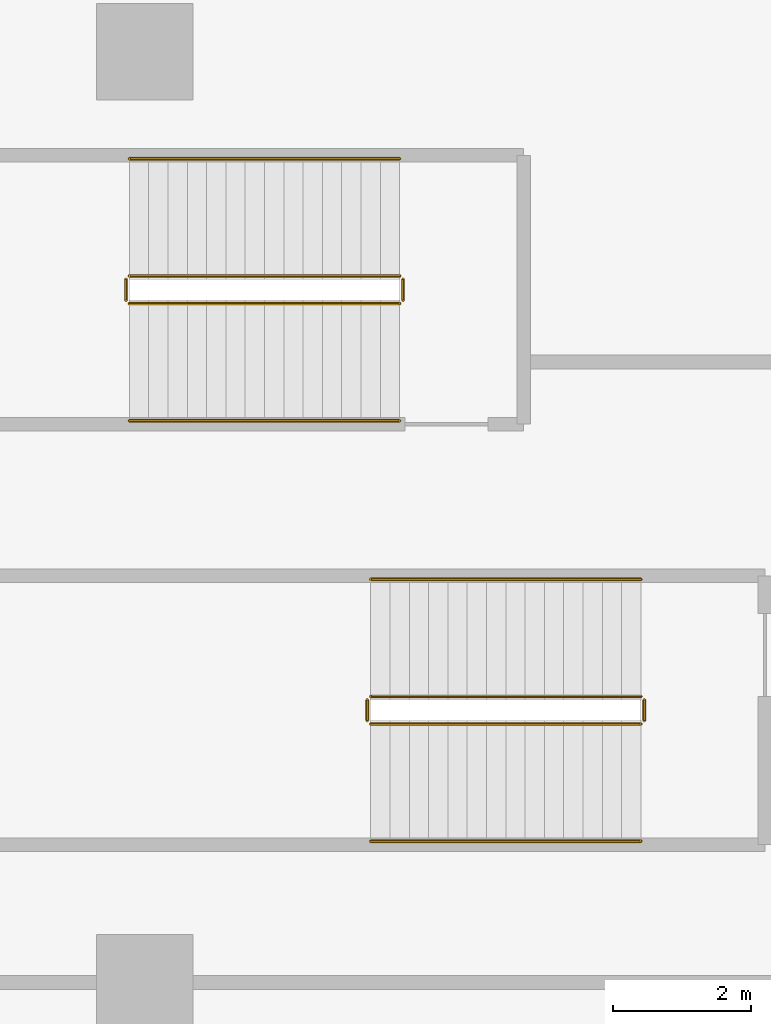
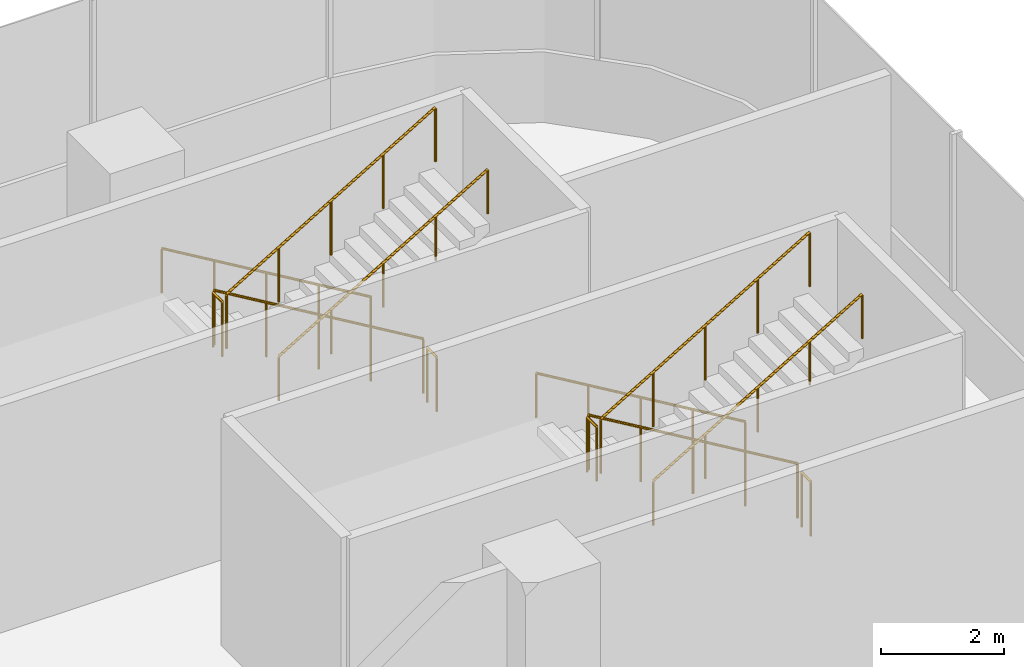
# One storey, part 44 of 44: 12 railings.
"""IFC4 building model written with IfcOpenShell, lengths in metres."""

from ifc_helpers import new_model, si_unit, direction, frame, origin, origin_2d, place, context, subcontext, project, spatial, circle, extrude, material, type_object, element, save


model = new_model("IFC4")

# Units and contexts
model_context = context("Model", 3, precision=1e-05, world=origin(), true_north=direction((0.0, 1.0)))
body_context = subcontext(model_context, "Body", "Model", "MODEL_VIEW")
ifc_project = project(units=[si_unit("LENGTHUNIT", "METRE"), si_unit("AREAUNIT", "SQUARE_METRE"), si_unit("VOLUMEUNIT", "CUBIC_METRE"), si_unit("PLANEANGLEUNIT", "RADIAN"), si_unit("MASSUNIT", "GRAM", prefix="KILO")], contexts=[model_context])

# Site, building, storey
site_placement = place(None, origin())
site = spatial("IfcSite", under=ifc_project, at=site_placement, CompositionType="ELEMENT")
building_placement = place(site_placement, origin())
building = spatial("IfcBuilding", under=site, at=building_placement, Name="Tamarind Cross Interchange Tower", CompositionType="ELEMENT")
storey_placement = place(building_placement, frame((0.0, 0.0, 15.0)))
storey = spatial("IfcBuildingStorey", under=building, at=storey_placement, Name="L02", CompositionType="ELEMENT", Elevation=15.0)

# Railings
ifc_material_1 = material(Name="Public stair guard")
railing_type_1 = type_object("IfcRailingType", Name="Public stair guard", PredefinedType="GUARDRAIL", material=ifc_material_1)
railing_1_placement = place(storey_placement, frame((57.699951171875, 50.75, 0.166748046875)))
element("IfcRailing", 1, at=railing_1_placement, inside=storey, type_object=railing_type_1, Name="L02 XS-P01 stair guard 1", PredefinedType="GUARDRAIL", context=body_context, shape_type="SweptSolid", body=[
    extrude(circle(Radius=0.02392578125, at=origin_2d()), frame((0.0, 0.0, 1.076171875), z_axis=(-0.859296244711, 0.0, 0.511478214419), x_axis=(0.0, -1.0, 0.0)), (0.0, 0.0, 1.0), 4.561767578125),
    extrude(circle(Radius=0.02099609375, at=origin_2d()), origin(), (0.0, 0.0, 1.0), 1.052001953125),
    extrude(circle(Radius=0.02099609375, at=origin_2d()), frame((-0.97998046875, 0.0, 0.583251953125)), (0.0, 0.0, 1.0), 1.052001953125),
    extrude(circle(Radius=0.02099609375, at=origin_2d()), frame((-1.9599609375, 0.0, 1.16650390625)), (0.0, 0.0, 1.0), 1.052001953125),
    extrude(circle(Radius=0.02099609375, at=origin_2d()), frame((-2.93994140625, 0.0, 1.75)), (0.0, 0.0, 1.0), 1.052001953125),
    extrude(circle(Radius=0.02099609375, at=origin_2d()), frame((-3.919921875, 0.0, 2.333251953125)), (0.0, 0.0, 1.0), 1.052001953125),
])
railing_2_placement = place(storey_placement, frame((53.72998046875, 50.699951171875, 2.5)))
element("IfcRailing", 2, at=railing_2_placement, inside=storey, type_object=railing_type_1, Name="L02 XS-P01 stair guard 2", PredefinedType="GUARDRAIL", context=body_context, shape_type="SweptSolid", body=[
    extrude(circle(Radius=0.02392578125, at=origin_2d()), frame((0.0, 0.0, 1.076171875), z_axis=(0.0, -1.0, 0.0), x_axis=(1.0, 0.0, 0.0)), (0.0, 0.0, 1.0), 0.300048828125),
    extrude(circle(Radius=0.02099609375, at=origin_2d()), origin(), (0.0, 0.0, 1.0), 1.052001953125),
    extrude(circle(Radius=0.02099609375, at=origin_2d()), frame((0.0, -0.300048828125, 0.0)), (0.0, 0.0, 1.0), 1.052001953125),
])
railing_3_placement = place(storey_placement, frame((53.780029296875, 50.35009765625, 2.666748046875)))
element("IfcRailing", 3, at=railing_3_placement, inside=storey, type_object=railing_type_1, Name="L02 XS-P01 stair guard 3", PredefinedType="GUARDRAIL", context=body_context, shape_type="SweptSolid", body=[
    extrude(circle(Radius=0.02392578125, at=origin_2d()), frame((0.0, 0.0, 1.076171875), z_axis=(0.859296244711, 0.0, 0.511478214419), x_axis=(0.0, 1.0, 0.0)), (0.0, 0.0, 1.0), 4.561767578125),
    extrude(circle(Radius=0.02099609375, at=origin_2d()), origin(), (0.0, 0.0, 1.0), 1.052001953125),
    extrude(circle(Radius=0.02099609375, at=origin_2d()), frame((0.97998046875, 0.0, 0.583251953125)), (0.0, 0.0, 1.0), 1.052001953125),
    extrude(circle(Radius=0.02099609375, at=origin_2d()), frame((1.9599609375, 0.0, 1.16650390625)), (0.0, 0.0, 1.0), 1.052001953125),
    extrude(circle(Radius=0.02099609375, at=origin_2d()), frame((2.93994140625, 0.0, 1.75)), (0.0, 0.0, 1.0), 1.052001953125),
    extrude(circle(Radius=0.02099609375, at=origin_2d()), frame((3.919921875, 0.0, 2.333251953125)), (0.0, 0.0, 1.0), 1.052001953125),
])
railing_4_placement = place(storey_placement, frame((57.75, 50.699951171875, 0.0)))
element("IfcRailing", 4, at=railing_4_placement, inside=storey, type_object=railing_type_1, Name="L02 XS-P01 stair guard 4", PredefinedType="GUARDRAIL", context=body_context, shape_type="SweptSolid", body=[
    extrude(circle(Radius=0.02392578125, at=origin_2d()), frame((0.0, 0.0, 1.076171875), z_axis=(0.0, -1.0, 0.0), x_axis=(1.0, 0.0, 0.0)), (0.0, 0.0, 1.0), 0.300048828125),
    extrude(circle(Radius=0.02099609375, at=origin_2d()), origin(), (0.0, 0.0, 1.0), 1.052001953125),
    extrude(circle(Radius=0.02099609375, at=origin_2d()), frame((0.0, -0.300048828125, 0.0)), (0.0, 0.0, 1.0), 1.052001953125),
])
railing_5_placement = place(storey_placement, frame((61.199951171875, 44.64990234375, 0.166748046875)))
element("IfcRailing", 5, at=railing_5_placement, inside=storey, type_object=railing_type_1, Name="L02 XS-P02 stair guard 1", PredefinedType="GUARDRAIL", context=body_context, shape_type="SweptSolid", body=[
    extrude(circle(Radius=0.02392578125, at=origin_2d()), frame((0.0, 0.0, 1.076171875), z_axis=(-0.859296244711, 0.0, 0.511478214419), x_axis=(0.0, -1.0, 0.0)), (0.0, 0.0, 1.0), 4.561767578125),
    extrude(circle(Radius=0.02099609375, at=origin_2d()), origin(), (0.0, 0.0, 1.0), 1.052001953125),
    extrude(circle(Radius=0.02099609375, at=origin_2d()), frame((-0.97998046875, 0.0, 0.583251953125)), (0.0, 0.0, 1.0), 1.052001953125),
    extrude(circle(Radius=0.02099609375, at=origin_2d()), frame((-1.9599609375, 0.0, 1.16650390625)), (0.0, 0.0, 1.0), 1.052001953125),
    extrude(circle(Radius=0.02099609375, at=origin_2d()), frame((-2.93994140625, 0.0, 1.75)), (0.0, 0.0, 1.0), 1.052001953125),
    extrude(circle(Radius=0.02099609375, at=origin_2d()), frame((-3.919921875, 0.0, 2.333251953125)), (0.0, 0.0, 1.0), 1.052001953125),
])
railing_6_placement = place(storey_placement, frame((57.22998046875, 44.60009765625, 2.5)))
element("IfcRailing", 6, at=railing_6_placement, inside=storey, type_object=railing_type_1, Name="L02 XS-P02 stair guard 2", PredefinedType="GUARDRAIL", context=body_context, shape_type="SweptSolid", body=[
    extrude(circle(Radius=0.02392578125, at=origin_2d()), frame((0.0, 0.0, 1.076171875), z_axis=(0.0, -1.0, 0.0), x_axis=(1.0, 0.0, 0.0)), (0.0, 0.0, 1.0), 0.300048828125),
    extrude(circle(Radius=0.02099609375, at=origin_2d()), origin(), (0.0, 0.0, 1.0), 1.052001953125),
    extrude(circle(Radius=0.02099609375, at=origin_2d()), frame((0.0, -0.300048828125, 0.0)), (0.0, 0.0, 1.0), 1.052001953125),
])
railing_7_placement = place(storey_placement, frame((57.280029296875, 44.25, 2.666748046875)))
element("IfcRailing", 7, at=railing_7_placement, inside=storey, type_object=railing_type_1, Name="L02 XS-P02 stair guard 3", PredefinedType="GUARDRAIL", context=body_context, shape_type="SweptSolid", body=[
    extrude(circle(Radius=0.02392578125, at=origin_2d()), frame((0.0, 0.0, 1.076171875), z_axis=(0.859296244711, 0.0, 0.511478214419), x_axis=(0.0, 1.0, 0.0)), (0.0, 0.0, 1.0), 4.561767578125),
    extrude(circle(Radius=0.02099609375, at=origin_2d()), origin(), (0.0, 0.0, 1.0), 1.052001953125),
    extrude(circle(Radius=0.02099609375, at=origin_2d()), frame((0.97998046875, 0.0, 0.583251953125)), (0.0, 0.0, 1.0), 1.052001953125),
    extrude(circle(Radius=0.02099609375, at=origin_2d()), frame((1.9599609375, 0.0, 1.16650390625)), (0.0, 0.0, 1.0), 1.052001953125),
    extrude(circle(Radius=0.02099609375, at=origin_2d()), frame((2.93994140625, 0.0, 1.75)), (0.0, 0.0, 1.0), 1.052001953125),
    extrude(circle(Radius=0.02099609375, at=origin_2d()), frame((3.919921875, 0.0, 2.333251953125)), (0.0, 0.0, 1.0), 1.052001953125),
])
railing_8_placement = place(storey_placement, frame((61.25, 44.60009765625, 0.0)))
element("IfcRailing", 8, at=railing_8_placement, inside=storey, type_object=railing_type_1, Name="L02 XS-P02 stair guard 4", PredefinedType="GUARDRAIL", context=body_context, shape_type="SweptSolid", body=[
    extrude(circle(Radius=0.02392578125, at=origin_2d()), frame((0.0, 0.0, 1.076171875), z_axis=(0.0, -1.0, 0.0), x_axis=(1.0, 0.0, 0.0)), (0.0, 0.0, 1.0), 0.300048828125),
    extrude(circle(Radius=0.02099609375, at=origin_2d()), origin(), (0.0, 0.0, 1.0), 1.052001953125),
    extrude(circle(Radius=0.02099609375, at=origin_2d()), frame((0.0, -0.300048828125, 0.0)), (0.0, 0.0, 1.0), 1.052001953125),
])
ifc_material_2 = material(Name="Public stair handrail")
railing_type_2 = type_object("IfcRailingType", Name="Public stair handrail", PredefinedType="HANDRAIL", material=ifc_material_2)
railing_9_placement = place(storey_placement, frame((57.699951171875, 52.449951171875, 0.166748046875)))
element("IfcRailing", 9, at=railing_9_placement, inside=storey, type_object=railing_type_2, Name="L02 XS-P01 stair handrail 1", PredefinedType="HANDRAIL", context=body_context, shape_type="SweptSolid", body=[
    extrude(circle(Radius=0.02392578125, at=origin_2d()), frame((0.0, 0.0, 0.8759765625), z_axis=(-0.859296244711, 0.0, 0.511478214419), x_axis=(0.0, -1.0, 0.0)), (0.0, 0.0, 1.0), 4.561767578125),
    extrude(circle(Radius=0.02099609375, at=origin_2d()), origin(), (0.0, 0.0, 1.0), 0.851806640625),
    extrude(circle(Radius=0.02099609375, at=origin_2d()), frame((-0.97998046875, 0.0, 0.583251953125)), (0.0, 0.0, 1.0), 0.851806640625),
    extrude(circle(Radius=0.02099609375, at=origin_2d()), frame((-1.9599609375, 0.0, 1.16650390625)), (0.0, 0.0, 1.0), 0.851806640625),
    extrude(circle(Radius=0.02099609375, at=origin_2d()), frame((-2.93994140625, 0.0, 1.75)), (0.0, 0.0, 1.0), 0.851806640625),
    extrude(circle(Radius=0.02099609375, at=origin_2d()), frame((-3.919921875, 0.0, 2.333251953125)), (0.0, 0.0, 1.0), 0.851806640625),
])
railing_10_placement = place(storey_placement, frame((53.780029296875, 48.64990234375, 2.666748046875)))
element("IfcRailing", 10, at=railing_10_placement, inside=storey, type_object=railing_type_2, Name="L02 XS-P01 stair handrail 2", PredefinedType="HANDRAIL", context=body_context, shape_type="SweptSolid", body=[
    extrude(circle(Radius=0.02392578125, at=origin_2d()), frame((0.0, 0.0, 0.8759765625), z_axis=(0.859296244711, 0.0, 0.511478214419), x_axis=(0.0, 1.0, 0.0)), (0.0, 0.0, 1.0), 4.561767578125),
    extrude(circle(Radius=0.02099609375, at=origin_2d()), origin(), (0.0, 0.0, 1.0), 0.851806640625),
    extrude(circle(Radius=0.02099609375, at=origin_2d()), frame((0.97998046875, 0.0, 0.583251953125)), (0.0, 0.0, 1.0), 0.851806640625),
    extrude(circle(Radius=0.02099609375, at=origin_2d()), frame((1.9599609375, 0.0, 1.16650390625)), (0.0, 0.0, 1.0), 0.851806640625),
    extrude(circle(Radius=0.02099609375, at=origin_2d()), frame((2.93994140625, 0.0, 1.75)), (0.0, 0.0, 1.0), 0.851806640625),
    extrude(circle(Radius=0.02099609375, at=origin_2d()), frame((3.919921875, 0.0, 2.333251953125)), (0.0, 0.0, 1.0), 0.851806640625),
])
railing_11_placement = place(storey_placement, frame((61.199951171875, 46.35009765625, 0.166748046875)))
element("IfcRailing", 11, at=railing_11_placement, inside=storey, type_object=railing_type_2, Name="L02 XS-P02 stair handrail 1", PredefinedType="HANDRAIL", context=body_context, shape_type="SweptSolid", body=[
    extrude(circle(Radius=0.02392578125, at=origin_2d()), frame((0.0, 0.0, 0.8759765625), z_axis=(-0.859296244711, 0.0, 0.511478214419), x_axis=(0.0, -1.0, 0.0)), (0.0, 0.0, 1.0), 4.561767578125),
    extrude(circle(Radius=0.02099609375, at=origin_2d()), origin(), (0.0, 0.0, 1.0), 0.851806640625),
    extrude(circle(Radius=0.02099609375, at=origin_2d()), frame((-0.97998046875, 0.0, 0.583251953125)), (0.0, 0.0, 1.0), 0.851806640625),
    extrude(circle(Radius=0.02099609375, at=origin_2d()), frame((-1.9599609375, 0.0, 1.16650390625)), (0.0, 0.0, 1.0), 0.851806640625),
    extrude(circle(Radius=0.02099609375, at=origin_2d()), frame((-2.93994140625, 0.0, 1.75)), (0.0, 0.0, 1.0), 0.851806640625),
    extrude(circle(Radius=0.02099609375, at=origin_2d()), frame((-3.919921875, 0.0, 2.333251953125)), (0.0, 0.0, 1.0), 0.851806640625),
])
railing_12_placement = place(storey_placement, frame((57.280029296875, 42.550048828125, 2.666748046875)))
element("IfcRailing", 12, at=railing_12_placement, inside=storey, type_object=railing_type_2, Name="L02 XS-P02 stair handrail 2", PredefinedType="HANDRAIL", context=body_context, shape_type="SweptSolid", body=[
    extrude(circle(Radius=0.02392578125, at=origin_2d()), frame((0.0, 0.0, 0.8759765625), z_axis=(0.859296244711, 0.0, 0.511478214419), x_axis=(0.0, 1.0, 0.0)), (0.0, 0.0, 1.0), 4.561767578125),
    extrude(circle(Radius=0.02099609375, at=origin_2d()), origin(), (0.0, 0.0, 1.0), 0.851806640625),
    extrude(circle(Radius=0.02099609375, at=origin_2d()), frame((0.97998046875, 0.0, 0.583251953125)), (0.0, 0.0, 1.0), 0.851806640625),
    extrude(circle(Radius=0.02099609375, at=origin_2d()), frame((1.9599609375, 0.0, 1.16650390625)), (0.0, 0.0, 1.0), 0.851806640625),
    extrude(circle(Radius=0.02099609375, at=origin_2d()), frame((2.93994140625, 0.0, 1.75)), (0.0, 0.0, 1.0), 0.851806640625),
    extrude(circle(Radius=0.02099609375, at=origin_2d()), frame((3.919921875, 0.0, 2.333251953125)), (0.0, 0.0, 1.0), 0.851806640625),
])

save(model, "model.ifc")
